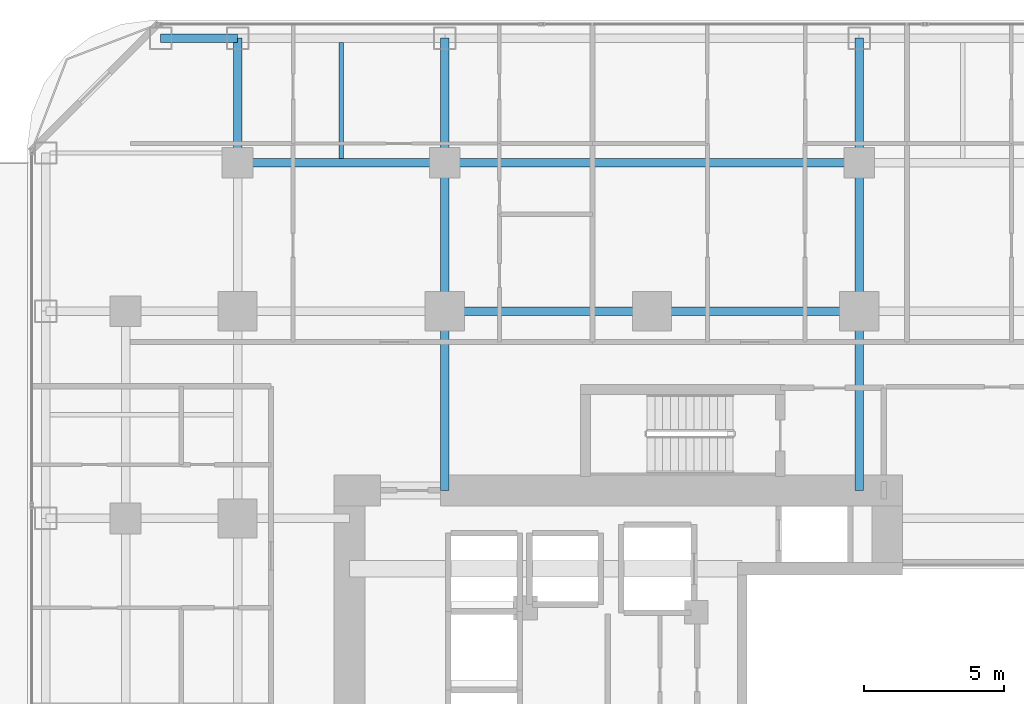
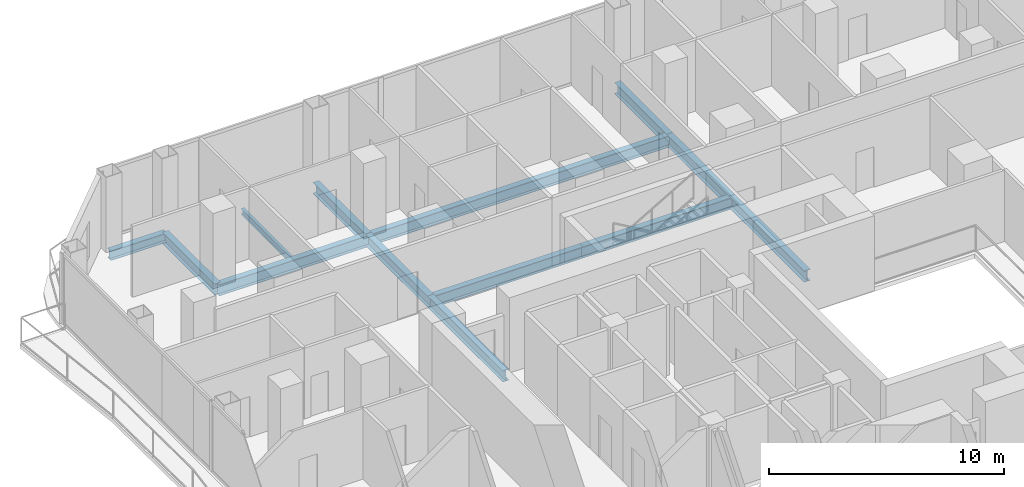
# One storey, part 14 of 28: 13 beams.
"""IFC4 building model written with IfcOpenShell, lengths in metres."""

from ifc_helpers import new_model, si_unit, direction, frame, origin, origin_2d, place, context, subcontext, project, spatial, i_section, extrude, material, material_profile, profile_set, type_object, element, save


model = new_model("IFC4")

# Units and contexts
model_context = context("Model", 3, precision=1e-05, world=origin(), true_north=direction((0.0, 1.0)))
body_context = subcontext(model_context, "Body", "Model", "MODEL_VIEW")
ifc_project = project(units=[si_unit("LENGTHUNIT", "METRE"), si_unit("AREAUNIT", "SQUARE_METRE"), si_unit("VOLUMEUNIT", "CUBIC_METRE"), si_unit("PLANEANGLEUNIT", "RADIAN"), si_unit("MASSUNIT", "GRAM", prefix="KILO")], contexts=[model_context])

# Site, building, storey
site_placement = place(None, origin())
site = spatial("IfcSite", under=ifc_project, at=site_placement, CompositionType="ELEMENT")
building_placement = place(site_placement, origin())
building = spatial("IfcBuilding", under=site, at=building_placement, Name="Khorvyn Point Tower", CompositionType="ELEMENT")
storey_placement = place(building_placement, frame((0.0, 0.0, 34.5)))
storey = spatial("IfcBuildingStorey", under=building, at=storey_placement, Name="L09", CompositionType="ELEMENT", Elevation=34.5)

# Beams
ifc_material = material(Name="Steel S355", Category="steel")
ifc_material_profile_1 = material_profile(ifc_material, i_section(OverallWidth=0.300048828125, OverallDepth=0.587890625, WebThickness=0.011962890625, FlangeThickness=0.02001953125, at=origin_2d()))
ifc_profile_set_1 = profile_set([ifc_material_profile_1], Name="Steel S355 H588x300x12x20")
beam_type_1 = type_object("IfcBeamType", Name="Steel S355 Beam H588x300x12x20", PredefinedType="BEAM", material=ifc_profile_set_1)
for number, where, z_axis, x_axis, name in (
    (1, (-7.39990234375, 14.800048828125, -0.513916015625), (1.0, 0.0, 0.0), (0.0, 1.0, 0.0), "Beam"),
    (2, (0.0, 14.800048828125, -0.513916015625), (1.0, 0.0, 0.0), (0.0, 1.0, 0.0), "Beam"),
):
    element("IfcBeam", number, at=place(storey_placement, frame(where, z_axis=z_axis, x_axis=x_axis)), inside=storey, type_object=beam_type_1, Name=name, PredefinedType="BEAM", context=body_context, shape_type="SweptSolid", body=[
        extrude(i_section(OverallWidth=0.300048828125, OverallDepth=0.587890625, WebThickness=0.011962890625, FlangeThickness=0.02001953125, at=origin_2d()), origin(), (0.0, 0.0, 1.0), 7.39990234375),
    ])
beam_1_placement = place(storey_placement, frame((-14.800048828125, 20.10009765625, -0.513916015625), z_axis=(1.0, 0.0, 0.0), x_axis=(0.0, 1.0, 0.0)))
element("IfcBeam", 3, at=beam_1_placement, inside=storey, type_object=beam_type_1, Name="Beam", PredefinedType="BEAM", context=body_context, shape_type="SweptSolid", body=[
    extrude(i_section(OverallWidth=0.300048828125, OverallDepth=0.587890625, WebThickness=0.011962890625, FlangeThickness=0.02001953125, at=origin_2d()), origin(), (0.0, 0.0, 1.0), 7.400146484375),
])
beam_2_placement = place(storey_placement, frame((-7.39990234375, 20.10009765625, -0.513916015625), z_axis=(1.0, 0.0, 0.0), x_axis=(0.0, 1.0, 0.0)))
element("IfcBeam", 4, at=beam_2_placement, inside=storey, type_object=beam_type_1, Name="Beam", PredefinedType="BEAM", context=body_context, shape_type="SweptSolid", body=[
    extrude(i_section(OverallWidth=0.300048828125, OverallDepth=0.587890625, WebThickness=0.011962890625, FlangeThickness=0.02001953125, at=origin_2d()), origin(), (0.0, 0.0, 1.0), 14.7998046875),
])
beam_3_placement = place(storey_placement, frame((-14.800048828125, 20.10009765625, -0.513916015625), z_axis=(0.0, 1.0, 0.0), x_axis=(-1.0, 0.0, 0.0)))
element("IfcBeam", 5, at=beam_3_placement, inside=storey, type_object=beam_type_1, Name="Beam", PredefinedType="BEAM", context=body_context, shape_type="SweptSolid", body=[
    extrude(i_section(OverallWidth=0.300048828125, OverallDepth=0.587890625, WebThickness=0.011962890625, FlangeThickness=0.02001953125, at=origin_2d()), origin(), (0.0, 0.0, 1.0), 4.449951171875),
])
beam_4_placement = place(storey_placement, frame((-7.39990234375, 8.39990234375, -0.513916015625), z_axis=(0.0, 1.0, 0.0), x_axis=(-1.0, 0.0, 0.0)))
element("IfcBeam", 6, at=beam_4_placement, inside=storey, type_object=beam_type_1, Name="Beam", PredefinedType="BEAM", context=body_context, shape_type="SweptSolid", body=[
    extrude(i_section(OverallWidth=0.300048828125, OverallDepth=0.587890625, WebThickness=0.011962890625, FlangeThickness=0.02001953125, at=origin_2d()), origin(), (0.0, 0.0, 1.0), 6.400146484375),
])
beam_5_placement = place(storey_placement, frame((-7.39990234375, 14.800048828125, -0.513916015625), z_axis=(0.0, 1.0, 0.0), x_axis=(-1.0, 0.0, 0.0)))
element("IfcBeam", 7, at=beam_5_placement, inside=storey, type_object=beam_type_1, Name="Beam", PredefinedType="BEAM", context=body_context, shape_type="SweptSolid", body=[
    extrude(i_section(OverallWidth=0.300048828125, OverallDepth=0.587890625, WebThickness=0.011962890625, FlangeThickness=0.02001953125, at=origin_2d()), origin(), (0.0, 0.0, 1.0), 5.300048828125),
])
beam_6_placement = place(storey_placement, frame((-7.39990234375, 20.10009765625, -0.513916015625), z_axis=(0.0, 1.0, 0.0), x_axis=(-1.0, 0.0, 0.0)))
element("IfcBeam", 8, at=beam_6_placement, inside=storey, type_object=beam_type_1, Name="Beam", PredefinedType="BEAM", context=body_context, shape_type="SweptSolid", body=[
    extrude(i_section(OverallWidth=0.300048828125, OverallDepth=0.587890625, WebThickness=0.011962890625, FlangeThickness=0.02001953125, at=origin_2d()), origin(), (0.0, 0.0, 1.0), 4.449951171875),
])
beam_7_placement = place(storey_placement, frame((7.39990234375, 8.39990234375, -0.513916015625), z_axis=(0.0, 1.0, 0.0), x_axis=(-1.0, 0.0, 0.0)))
element("IfcBeam", 9, at=beam_7_placement, inside=storey, type_object=beam_type_1, Name="Beam", PredefinedType="BEAM", context=body_context, shape_type="SweptSolid", body=[
    extrude(i_section(OverallWidth=0.300048828125, OverallDepth=0.587890625, WebThickness=0.011962890625, FlangeThickness=0.02001953125, at=origin_2d()), origin(), (0.0, 0.0, 1.0), 6.400146484375),
])
beam_8_placement = place(storey_placement, frame((7.39990234375, 14.800048828125, -0.513916015625), z_axis=(0.0, 1.0, 0.0), x_axis=(-1.0, 0.0, 0.0)))
element("IfcBeam", 10, at=beam_8_placement, inside=storey, type_object=beam_type_1, Name="Beam", PredefinedType="BEAM", context=body_context, shape_type="SweptSolid", body=[
    extrude(i_section(OverallWidth=0.300048828125, OverallDepth=0.587890625, WebThickness=0.011962890625, FlangeThickness=0.02001953125, at=origin_2d()), origin(), (0.0, 0.0, 1.0), 5.300048828125),
])
beam_9_placement = place(storey_placement, frame((7.39990234375, 20.10009765625, -0.513916015625), z_axis=(0.0, 1.0, 0.0), x_axis=(-1.0, 0.0, 0.0)))
element("IfcBeam", 11, at=beam_9_placement, inside=storey, type_object=beam_type_1, Name="Beam", PredefinedType="BEAM", context=body_context, shape_type="SweptSolid", body=[
    extrude(i_section(OverallWidth=0.300048828125, OverallDepth=0.587890625, WebThickness=0.011962890625, FlangeThickness=0.02001953125, at=origin_2d()), origin(), (0.0, 0.0, 1.0), 4.449951171875),
])
ifc_material_profile_2 = material_profile(ifc_material, i_section(OverallWidth=0.14990234375, OverallDepth=0.300048828125, WebThickness=0.006591796875, FlangeThickness=0.009033203125, at=origin_2d()))
ifc_profile_set_2 = profile_set([ifc_material_profile_2], Name="Steel S355 H300x150x6.5x9")
beam_type_2 = type_object("IfcBeamType", Name="Steel S355 Joist H300x150x6.5x9", PredefinedType="JOIST", material=ifc_profile_set_2)
beam_10_placement = place(storey_placement, frame((-11.10009765625, 20.25, -0.3701171875), z_axis=(0.0, 1.0, 0.0), x_axis=(-1.0, 0.0, 0.0)))
element("IfcBeam", 12, at=beam_10_placement, inside=storey, type_object=beam_type_2, Name="Beam", PredefinedType="JOIST", context=body_context, shape_type="SweptSolid", body=[
    extrude(i_section(OverallWidth=0.14990234375, OverallDepth=0.300048828125, WebThickness=0.006591796875, FlangeThickness=0.009033203125, at=origin_2d()), origin(), (0.0, 0.0, 1.0), 4.14990234375),
])
ifc_material_profile_3 = material_profile(ifc_material, i_section(OverallWidth=0.300048828125, OverallDepth=0.488037109375, WebThickness=0.010986328125, FlangeThickness=0.01806640625, at=origin_2d()))
ifc_profile_set_3 = profile_set([ifc_material_profile_3], Name="Steel S355 H488x300x11x18")
beam_type_3 = type_object("IfcBeamType", Name="Steel S355 Spandrel H488x300x11x18", PredefinedType="SPANDREL", material=ifc_profile_set_3)
beam_11_placement = place(storey_placement, frame((-17.550048828125, 24.550048828125, -0.464111328125), z_axis=(1.0, 0.0, 0.0), x_axis=(0.0, 1.0, 0.0)))
element("IfcBeam", 13, at=beam_11_placement, inside=storey, type_object=beam_type_3, Name="Beam", PredefinedType="SPANDREL", context=body_context, shape_type="SweptSolid", body=[
    extrude(i_section(OverallWidth=0.300048828125, OverallDepth=0.488037109375, WebThickness=0.010986328125, FlangeThickness=0.01806640625, at=origin_2d()), origin(), (0.0, 0.0, 1.0), 2.75),
])

save(model, "model.ifc")
